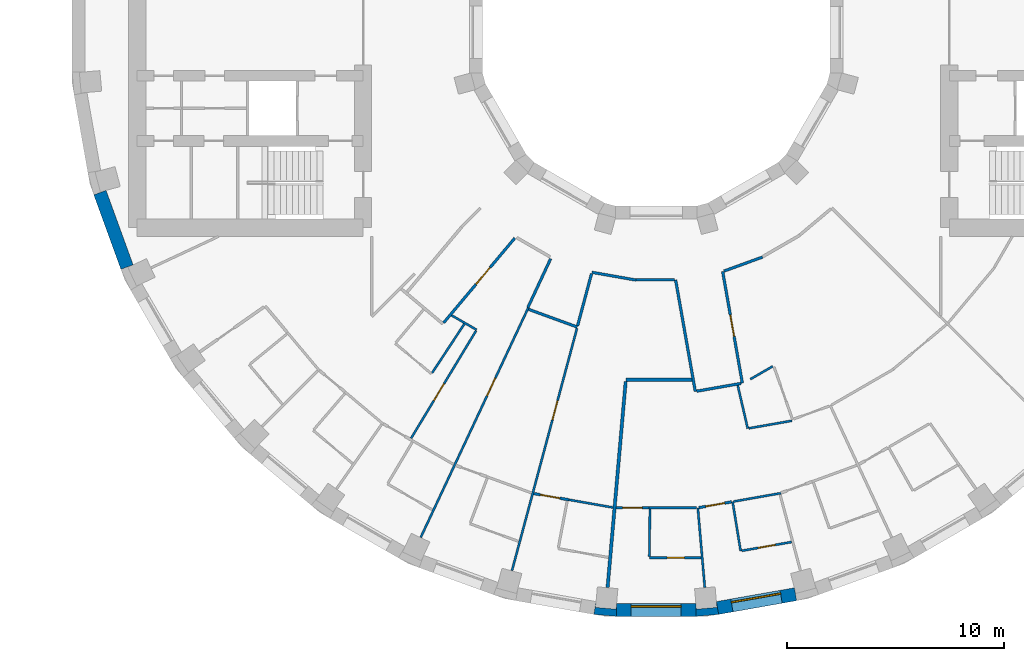
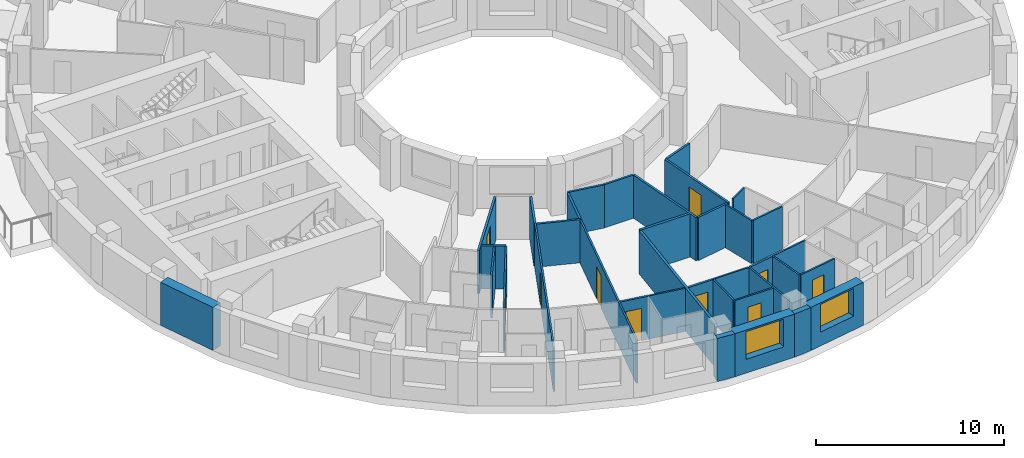
# One storey, part 5 of 14: 36 walls, 10 doors, 2 windows, 12 openings.
"""IFC4 building model written with IfcOpenShell, lengths in metres."""

from ifc_helpers import new_model, si_unit, direction, frame, frame_2d, origin, place, context, subcontext, project, spatial, polyline, rectangle, outline, extrude, material, layer, layer_set, type_object, element, fill, save


model = new_model("IFC4")

# Units and contexts
model_context = context("Model", 3, precision=1e-05, world=origin(), true_north=direction((0.0, 1.0)))
body_context = subcontext(model_context, "Body", "Model", "MODEL_VIEW")
ifc_project = project(units=[si_unit("LENGTHUNIT", "METRE"), si_unit("AREAUNIT", "SQUARE_METRE"), si_unit("VOLUMEUNIT", "CUBIC_METRE"), si_unit("PLANEANGLEUNIT", "RADIAN"), si_unit("MASSUNIT", "GRAM", prefix="KILO")], contexts=[model_context])

# Site, building, storey
site_placement = place(None, origin())
site = spatial("IfcSite", under=ifc_project, at=site_placement, CompositionType="ELEMENT")
building_placement = place(site_placement, origin())
building = spatial("IfcBuilding", under=site, at=building_placement, Name="Saqina Gate Tower", CompositionType="ELEMENT")
storey_placement = place(building_placement, frame((0.0, 0.0, 105.10009765625)))
storey = spatial("IfcBuildingStorey", under=building, at=storey_placement, Name="L29", CompositionType="ELEMENT", Elevation=105.10009765625)

# Walls
ifc_material_1 = material(Name="Brick masonry (buff)", Category="masonry")
wall_type_1 = type_object("IfcWallType", Name="BRICK PIER COPING BUFF", PredefinedType="SOLIDWALL", material=ifc_material_1)
wall_1_placement = place(storey_placement, origin())
element("IfcWall", 1, at=wall_1_placement, inside=storey, type_object=wall_type_1, Name="Pier cap L29 column 27", PredefinedType="SOLIDWALL", context=body_context, shape_type="SweptSolid", body=[
    extrude(outline(polyline([(-2.87451171875, -26.805419921875), (-1.823974609375, -26.897216796875), (-1.823974609375, -26.29736328125), (-1.847412109375, -26.565185546875), (-2.793701171875, -26.482421875), (-2.770263671875, -26.214599609375), (-2.87451171875, -26.805419921875)])), origin(), (0.0, 0.0, 1.0), 2.7998046875),
])
wall_2_placement = place(storey_placement, origin())
element("IfcWall", 2, at=wall_2_placement, inside=storey, type_object=wall_type_1, Name="Pier cap L29 column 28", PredefinedType="SOLIDWALL", context=body_context, shape_type="SweptSolid", body=[
    extrude(outline(polyline([(2.87451171875, -26.805419921875), (2.770263671875, -26.214599609375), (2.793701171875, -26.482421875), (1.847412109375, -26.565185546875), (1.823974609375, -26.29736328125), (1.823974609375, -26.897216796875), (2.87451171875, -26.805419921875)])), origin(), (0.0, 0.0, 1.0), 2.7998046875),
])

# Wall, opening, window
ifc_material_2 = material(Name="Brick masonry (buff)", Category="masonry")
ifc_layer_1 = layer(ifc_material_2, 0.60009765625)
ifc_layer_set_1 = layer_set([ifc_layer_1], Name="FW-BRICK-BUFF")
wall_type_2 = type_object("IfcWallType", Name="FW-BRICK-BUFF", PredefinedType="SOLIDWALL", material=ifc_layer_set_1)
wall_3_placement = place(storey_placement, frame((-1.823974609375, -26.59716796875, 0.0), z_axis=(0.0, 0.0, 1.0), x_axis=(1.0, 0.0, 0.0)))
wall_3 = element("IfcWall", 3, at=wall_3_placement, inside=storey, type_object=wall_type_2, Name="Facade wall L29 facet 27", PredefinedType="SOLIDWALL", context=body_context, shape_type="SweptSolid", body=[
    extrude(rectangle(XDim=3.64794921875, YDim=0.60009765625, at=frame_2d((1.823974609375, 0.0))), origin(), (0.0, 0.0, 1.0), 2.7998046875),
])
opening_1_placement = place(wall_3_placement, frame((0.673828125, 0.0, 0.89990234375)))
opening_1 = element("IfcOpeningElement", 4, at=opening_1_placement, cuts=wall_3, Name="Opening G08-W16", PredefinedType="OPENING", context=body_context, shape_type="SweptSolid", body=[
    extrude(rectangle(XDim=2.300048828125, YDim=1.800048828125, at=frame_2d((1.14990234375, 0.89990234375))), frame((0.0, 0.31201171875, 0.0), z_axis=(0.0, -1.0, 0.0), x_axis=(1.0, 0.0, 0.0)), (0.0, 0.0, 1.0), 0.6240234375),
])
ifc_material_3 = material(Name="Aluminium glazing", Category="aluminium")
window_type = type_object("IfcWindowType", Name="WN-B", PartitioningType="SINGLE_PANEL", PredefinedType="WINDOW", material=ifc_material_3)
window_1_placement = place(opening_1_placement, origin())
window_1 = element("IfcWindow", 5, at=window_1_placement, inside=storey, type_object=window_type, Name="Window L29 facet 27", OverallHeight=1.800048828125, OverallWidth=2.300048828125, PartitioningType="SINGLE_PANEL", PredefinedType="WINDOW", context=body_context, shape_type="SweptSolid", body=[
    extrude(rectangle(XDim=2.300048828125, YDim=1.800048828125, at=frame_2d((1.14990234375, 0.89990234375))), frame((0.0, 0.179931640625, 0.0), z_axis=(0.0, -1.0, 0.0), x_axis=(1.0, 0.0, 0.0)), (0.0, 0.0, 1.0), 0.06005859375),
])
fill(opening_1, window_1)

wall_4_placement = place(storey_placement, frame((2.822265625, -26.510009765625, 0.0), z_axis=(0.0, 0.0, 1.0), x_axis=(0.984803764455, 0.173670796382, 0.0)))
wall_4 = element("IfcWall", 6, at=wall_4_placement, inside=storey, type_object=wall_type_2, Name="Facade wall L29 facet 28", PredefinedType="SOLIDWALL", context=body_context, shape_type="SweptSolid", body=[
    extrude(rectangle(XDim=3.64794921875, YDim=0.60009765625, at=frame_2d((1.823974609375, 0.0))), origin(), (0.0, 0.0, 1.0), 2.7998046875),
])
opening_2_placement = place(wall_4_placement, frame((0.673828125, 0.0, 0.89990234375)))
opening_2 = element("IfcOpeningElement", 7, at=opening_2_placement, cuts=wall_4, Name="Opening G08-W17", PredefinedType="OPENING", context=body_context, shape_type="SweptSolid", body=[
    extrude(rectangle(XDim=2.300048828125, YDim=1.800048828125, at=frame_2d((1.14990234375, 0.89990234375))), frame((0.0, 0.31201171875, 0.0), z_axis=(0.0, -1.0, 0.0), x_axis=(1.0, 0.0, 0.0)), (0.0, 0.0, 1.0), 0.6240234375),
])
window_2_placement = place(opening_2_placement, origin())
window_2 = element("IfcWindow", 8, at=window_2_placement, inside=storey, type_object=window_type, Name="Window L29 facet 28", OverallHeight=1.800048828125, OverallWidth=2.300048828125, PartitioningType="SINGLE_PANEL", PredefinedType="WINDOW", context=body_context, shape_type="SweptSolid", body=[
    extrude(rectangle(XDim=2.300048828125, YDim=1.800048828125, at=frame_2d((1.14990234375, 0.89990234375))), frame((0.0, 0.179931640625, 0.0), z_axis=(0.0, -1.0, 0.0), x_axis=(1.0, 0.0, 0.0)), (0.0, 0.0, 1.0), 0.06005859375),
])
fill(opening_2, window_2)

# Walls
ifc_material_4 = material(Name="Glazed ceramic tile", Category="ceramic")
ifc_layer_2 = layer(ifc_material_4, 0.60009765625)
ifc_layer_set_2 = layer_set([ifc_layer_2], Name="FW-TILE")
wall_type_3 = type_object("IfcWallType", Name="FW-TILE", PredefinedType="SOLIDWALL", material=ifc_layer_set_2)
wall_5_placement = place(storey_placement, frame((-25.616943359375, -7.3828125, 0.0), z_axis=(0.0, 0.0, 1.0), x_axis=(0.341990236633, -0.939703505393, 0.0)))
element("IfcWall", 9, at=wall_5_placement, inside=storey, type_object=wall_type_3, Name="Facade wall L29 facet 20", PredefinedType="SOLIDWALL", context=body_context, shape_type="SweptSolid", body=[
    extrude(rectangle(XDim=3.64794921875, YDim=0.60009765625, at=frame_2d((1.823974609375, 0.0))), origin(), (0.0, 0.0, 1.0), 2.7998046875),
])
ifc_material_5 = material(Name="Gypsum board on steel studs, 100 mm", Category="steel")
ifc_layer_3 = layer(ifc_material_5, 0.10009765625)
ifc_layer_set_3 = layer_set([ifc_layer_3], Name="PARTITION 100")
wall_type_4 = type_object("IfcWallType", Name="PARTITION 100", PredefinedType="PARTITIONING", material=ifc_layer_set_3)
wall_6_placement = place(storey_placement, frame((1.916015625, -21.89697265625, 0.0), z_axis=(0.0, 0.0, 1.0), x_axis=(0.087069954148, -0.996202199899, 0.0)))
element("IfcWall", 10, at=wall_6_placement, inside=storey, type_object=wall_type_4, Name="PARTITION PW3-02", PredefinedType="PARTITIONING", context=body_context, shape_type="SweptSolid", body=[
    extrude(rectangle(XDim=3.684326171875, YDim=0.10009765625, at=frame_2d((1.84228515625, 0.0))), origin(), (0.0, 0.0, 1.0), 2.7998046875),
])
wall_7_placement = place(storey_placement, frame((3.51806640625, -21.614990234375, 0.0), z_axis=(0.0, 0.0, 1.0), x_axis=(0.160403826344, -0.987051474085, 0.0)))
element("IfcWall", 11, at=wall_7_placement, inside=storey, type_object=wall_type_4, Name="PARTITION PW3-04", PredefinedType="PARTITIONING", context=body_context, shape_type="SweptSolid", body=[
    extrude(rectangle(XDim=2.2998046875, YDim=0.10009765625, at=frame_2d((1.14990234375, 0.0))), origin(), (0.0, 0.0, 1.0), 2.7998046875),
])
wall_8_placement = place(storey_placement, frame((3.752685546875, -16.258056640625, 0.0), z_axis=(0.0, 0.0, 1.0), x_axis=(0.22577693712, -0.974179025983, 0.0)))
element("IfcWall", 12, at=wall_8_placement, inside=storey, type_object=wall_type_4, Name="PARTITION PW3-06", PredefinedType="PARTITIONING", context=body_context, shape_type="SweptSolid", body=[
    extrude(rectangle(XDim=2.04052734375, YDim=0.10009765625, at=frame_2d((1.020263671875, 0.0))), origin(), (0.0, 0.0, 1.0), 2.7998046875),
])
wall_9_placement = place(storey_placement, frame((-9.421875, -13.03515625, 0.0), z_axis=(0.0, 0.0, 1.0), x_axis=(0.866041828806, -0.499971549949, 0.0)))
element("IfcWall", 13, at=wall_9_placement, inside=storey, type_object=wall_type_4, Name="PARTITION PW3-30", PredefinedType="PARTITIONING", context=body_context, shape_type="SweptSolid", body=[
    extrude(rectangle(XDim=1.3291015625, YDim=0.10009765625, at=frame_2d((0.66455078125, 0.0))), origin(), (0.0, 0.0, 1.0), 2.7998046875),
])
wall_10_placement = place(storey_placement, frame((-4.025390625, -21.52490234375, 0.0), z_axis=(0.0, 0.0, 1.0), x_axis=(0.984791880798, -0.173738169424, 0.0)))
element("IfcWall", 14, at=wall_10_placement, inside=storey, type_object=wall_type_4, Name="PARTITION PW3-38", PredefinedType="PARTITIONING", context=body_context, shape_type="SweptSolid", body=[
    extrude(rectangle(XDim=2.067138671875, YDim=0.10009765625, at=frame_2d((1.03369140625, 0.0))), origin(), (0.0, 0.0, 1.0), 2.7998046875),
])

# Wall, opening, door
wall_11_placement = place(storey_placement, frame((-0.319091796875, -24.197021484375, 0.0), z_axis=(0.0, 0.0, 1.0), x_axis=(1.0, 0.0, 0.0)))
wall_11 = element("IfcWall", 15, at=wall_11_placement, inside=storey, type_object=wall_type_4, Name="PARTITION PW3-42", PredefinedType="PARTITIONING", context=body_context, shape_type="SweptSolid", body=[
    extrude(rectangle(XDim=2.385986328125, YDim=0.10009765625, at=frame_2d((1.19287109375, 0.0))), origin(), (0.0, 0.0, 1.0), 2.7998046875),
])
opening_3_placement = place(wall_11_placement, frame((0.818115234375, 0.0, 0.0)))
opening_3 = element("IfcOpeningElement", 16, at=opening_3_placement, cuts=wall_11, Name="Opening G08-D38", PredefinedType="OPENING", context=body_context, shape_type="SweptSolid", body=[
    extrude(rectangle(XDim=0.800048828125, YDim=2.10009765625, at=frame_2d((0.39990234375, 1.050048828125))), frame((0.0, 0.06201171875, 0.0), z_axis=(0.0, -1.0, 0.0), x_axis=(1.0, 0.0, 0.0)), (0.0, 0.0, 1.0), 0.1240234375),
])
ifc_material_6 = material(Name="Timber door leaf, 800 mm", Category="wood")
door_type_1 = type_object("IfcDoorType", Name="DOOR 800 TIMBER", OperationType="SINGLE_SWING_LEFT", PredefinedType="DOOR", material=ifc_material_6)
door_1_placement = place(opening_3_placement, frame((0.800048828125, 0.0, 0.0), z_axis=(0.0, 0.0, 1.0), x_axis=(-1.0, 0.0, 0.0)))
door_1 = element("IfcDoor", 17, at=door_1_placement, inside=storey, type_object=door_type_1, Name="DOOR G08-D38", OperationType="SINGLE_SWING_LEFT", OverallHeight=2.10009765625, OverallWidth=0.800048828125, PredefinedType="DOOR", context=body_context, shape_type="SweptSolid", body=[
    extrude(rectangle(XDim=0.800048828125, YDim=2.10009765625, at=frame_2d((0.39990234375, 1.050048828125))), frame((0.0, 0.02490234375, 0.0), z_axis=(0.0, -1.0, 0.0), x_axis=(1.0, 0.0, 0.0)), (0.0, 0.0, 1.0), 0.050048828125),
])
fill(opening_3, door_1)

# Wall
wall_12_placement = place(storey_placement, frame((-0.339111328125, -21.89697265625, 0.0), z_axis=(0.0, 0.0, 1.0), x_axis=(1.0, 0.0, 0.0)))
element("IfcWall", 18, at=wall_12_placement, inside=storey, type_object=wall_type_4, Name="PARTITION PW3-43", PredefinedType="PARTITIONING", context=body_context, shape_type="SweptSolid", body=[
    extrude(rectangle(XDim=2.205078125, YDim=0.10009765625, at=frame_2d((1.1025390625, 0.0))), origin(), (0.0, 0.0, 1.0), 2.7998046875),
])

# Wall, opening, door
wall_13_placement = place(storey_placement, frame((3.936279296875, -23.876220703125, 0.0), z_axis=(0.0, 0.0, 1.0), x_axis=(0.98482979879, 0.173523103404, 0.0)))
wall_13 = element("IfcWall", 19, at=wall_13_placement, inside=storey, type_object=wall_type_4, Name="PARTITION PW3-47", PredefinedType="PARTITIONING", context=body_context, shape_type="SweptSolid", body=[
    extrude(rectangle(XDim=2.3369140625, YDim=0.10009765625, at=frame_2d((1.16845703125, 0.0))), origin(), (0.0, 0.0, 1.0), 2.7998046875),
])
opening_4_placement = place(wall_13_placement, frame((0.7685546875, 0.0, 0.0)))
opening_4 = element("IfcOpeningElement", 20, at=opening_4_placement, cuts=wall_13, Name="Opening G08-D40", PredefinedType="OPENING", context=body_context, shape_type="SweptSolid", body=[
    extrude(rectangle(XDim=0.800048828125, YDim=2.10009765625, at=frame_2d((0.39990234375, 1.050048828125))), frame((0.0, 0.06201171875, 0.0), z_axis=(0.0, -1.0, 0.0), x_axis=(1.0, 0.0, 0.0)), (0.0, 0.0, 1.0), 0.1240234375),
])
door_2_placement = place(opening_4_placement, frame((0.800048828125, 0.0, 0.0), z_axis=(0.0, 0.0, 1.0), x_axis=(-1.0, 0.0, 0.0)))
door_2 = element("IfcDoor", 21, at=door_2_placement, inside=storey, type_object=door_type_1, Name="DOOR G08-D40", OperationType="SINGLE_SWING_LEFT", OverallHeight=2.10009765625, OverallWidth=0.800048828125, PredefinedType="DOOR", context=body_context, shape_type="SweptSolid", body=[
    extrude(rectangle(XDim=0.800048828125, YDim=2.10009765625, at=frame_2d((0.39990234375, 1.050048828125))), frame((0.0, 0.02490234375, 0.0), z_axis=(0.0, -1.0, 0.0), x_axis=(1.0, 0.0, 0.0)), (0.0, 0.0, 1.0), 0.050048828125),
])
fill(opening_4, door_2)

# Walls
wall_14_placement = place(storey_placement, frame((3.567138671875, -21.606201171875, 0.0), z_axis=(0.0, 0.0, 1.0), x_axis=(0.984800270927, 0.173690605338, 0.0)))
element("IfcWall", 22, at=wall_14_placement, inside=storey, type_object=wall_type_4, Name="PARTITION PW3-48", PredefinedType="PARTITIONING", context=body_context, shape_type="SweptSolid", body=[
    extrude(rectangle(XDim=2.205322265625, YDim=0.10009765625, at=frame_2d((1.1025390625, 0.0))), origin(), (0.0, 0.0, 1.0), 2.7998046875),
])
wall_15_placement = place(storey_placement, frame((4.26318359375, -18.237060546875, 0.0), z_axis=(0.0, 0.0, 1.0), x_axis=(0.984827477251, 0.173536278777, 0.0)))
element("IfcWall", 23, at=wall_15_placement, inside=storey, type_object=wall_type_4, Name="PARTITION PW3-49", PredefinedType="PARTITIONING", context=body_context, shape_type="SweptSolid", body=[
    extrude(rectangle(XDim=2.01318359375, YDim=0.10009765625, at=frame_2d((1.006591796875, 0.0))), origin(), (0.0, 0.0, 1.0), 2.7998046875),
])
wall_16_placement = place(storey_placement, frame((4.331298828125, -15.976806640625, 0.0), z_axis=(0.0, 0.0, 1.0), x_axis=(0.86607987314, 0.499905644439, 0.0)))
element("IfcWall", 24, at=wall_16_placement, inside=storey, type_object=wall_type_4, Name="PARTITION PW3-64", PredefinedType="PARTITIONING", context=body_context, shape_type="SweptSolid", body=[
    extrude(rectangle(XDim=1.192138671875, YDim=0.10009765625, at=frame_2d((0.59619140625, 0.0))), origin(), (0.0, 0.0, 1.0), 2.7998046875),
])
wall_17_placement = place(storey_placement, frame((-10.319091796875, -15.684326171875, 0.0), z_axis=(0.0, 0.0, 1.0), x_axis=(0.549631473795, 0.835407231842, 0.0)))
element("IfcWall", 25, at=wall_17_placement, inside=storey, type_object=wall_type_4, Name="PARTITION PW3-79", PredefinedType="PARTITIONING", context=body_context, shape_type="SweptSolid", body=[
    extrude(rectangle(XDim=2.6953125, YDim=0.10009765625, at=frame_2d((1.34765625, 0.0))), origin(), (0.0, 0.0, 1.0), 2.7998046875),
])

# Wall, opening, door
wall_18_placement = place(storey_placement, frame((-11.287109375, -18.694580078125, 0.0), z_axis=(0.0, 0.0, 1.0), x_axis=(0.516964841348, 0.856006631288, 0.0)))
wall_18 = element("IfcWall", 26, at=wall_18_placement, inside=storey, type_object=wall_type_4, Name="PARTITION PW3-80", PredefinedType="PARTITIONING", context=body_context, shape_type="SweptSolid", body=[
    extrude(rectangle(XDim=5.7822265625, YDim=0.10009765625, at=frame_2d((2.89111328125, 0.0))), origin(), (0.0, 0.0, 1.0), 2.7998046875),
])
opening_5_placement = place(wall_18_placement, frame((2.034912109375, 0.0, 0.0)))
opening_5 = element("IfcOpeningElement", 27, at=opening_5_placement, cuts=wall_18, Name="Opening G08-D29", PredefinedType="OPENING", context=body_context, shape_type="SweptSolid", body=[
    extrude(rectangle(XDim=0.89990234375, YDim=2.10009765625, at=frame_2d((0.449951171875, 1.050048828125))), frame((0.0, 0.06201171875, 0.0), z_axis=(0.0, -1.0, 0.0), x_axis=(1.0, 0.0, 0.0)), (0.0, 0.0, 1.0), 0.1240234375),
])
ifc_material_7 = material(Name="Timber door leaf, 900 mm", Category="wood")
door_type_2 = type_object("IfcDoorType", Name="DOOR 900 TIMBER", OperationType="SINGLE_SWING_LEFT", PredefinedType="DOOR", material=ifc_material_7)
door_3_placement = place(opening_5_placement, origin())
door_3 = element("IfcDoor", 28, at=door_3_placement, inside=storey, type_object=door_type_2, Name="DOOR G08-D29", OperationType="SINGLE_SWING_RIGHT", OverallHeight=2.10009765625, OverallWidth=0.89990234375, PredefinedType="DOOR", context=body_context, shape_type="SweptSolid", body=[
    extrude(rectangle(XDim=0.89990234375, YDim=2.10009765625, at=frame_2d((0.449951171875, 1.050048828125))), frame((0.0, 0.02490234375, 0.0), z_axis=(0.0, -1.0, 0.0), x_axis=(1.0, 0.0, 0.0)), (0.0, 0.0, 1.0), 0.050048828125),
])
fill(opening_5, door_3)

wall_19_placement = place(storey_placement, frame((-10.845458984375, -23.260986328125, 0.0), z_axis=(0.0, 0.0, 1.0), x_axis=(0.424206154739, 0.905565645484, 0.0)))
wall_19 = element("IfcWall", 29, at=wall_19_placement, inside=storey, type_object=wall_type_4, Name="PARTITION PW3-83", PredefinedType="PARTITIONING", context=body_context, shape_type="SweptSolid", body=[
    extrude(rectangle(XDim=11.674560546875, YDim=0.10009765625, at=frame_2d((5.83740234375, 0.0))), origin(), (0.0, 0.0, 1.0), 2.7998046875),
])
opening_6_placement = place(wall_19_placement, frame((7.19921875, 0.0, 0.0)))
opening_6 = element("IfcOpeningElement", 30, at=opening_6_placement, cuts=wall_19, Name="Opening G08-D31", PredefinedType="OPENING", context=body_context, shape_type="SweptSolid", body=[
    extrude(rectangle(XDim=0.89990234375, YDim=2.10009765625, at=frame_2d((0.449951171875, 1.050048828125))), frame((0.0, 0.06201171875, 0.0), z_axis=(0.0, -1.0, 0.0), x_axis=(1.0, 0.0, 0.0)), (0.0, 0.0, 1.0), 0.1240234375),
])
door_4_placement = place(opening_6_placement, frame((0.89990234375, 0.0, 0.0), z_axis=(0.0, 0.0, 1.0), x_axis=(-1.0, 0.0, 0.0)))
door_4 = element("IfcDoor", 31, at=door_4_placement, inside=storey, type_object=door_type_2, Name="DOOR G08-D31", OperationType="SINGLE_SWING_LEFT", OverallHeight=2.10009765625, OverallWidth=0.89990234375, PredefinedType="DOOR", context=body_context, shape_type="SweptSolid", body=[
    extrude(rectangle(XDim=0.89990234375, YDim=2.10009765625, at=frame_2d((0.449951171875, 1.050048828125))), frame((0.0, 0.02490234375, 0.0), z_axis=(0.0, -1.0, 0.0), x_axis=(1.0, 0.0, 0.0)), (0.0, 0.0, 1.0), 0.050048828125),
])
fill(opening_6, door_4)

wall_20_placement = place(storey_placement, frame((-6.642333984375, -24.79052734375, 0.0), z_axis=(0.0, 0.0, 1.0), x_axis=(0.259103074619, 0.965849676049, 0.0)))
wall_20 = element("IfcWall", 32, at=wall_20_placement, inside=storey, type_object=wall_type_4, Name="PARTITION PW3-88", PredefinedType="PARTITIONING", context=body_context, shape_type="SweptSolid", body=[
    extrude(rectangle(XDim=11.549072265625, YDim=0.10009765625, at=frame_2d((5.7744140625, 0.0))), origin(), (0.0, 0.0, 1.0), 2.7998046875),
])
opening_7_placement = place(wall_20_placement, frame((7.19873046875, 0.0, 0.0)))
opening_7 = element("IfcOpeningElement", 33, at=opening_7_placement, cuts=wall_20, Name="Opening G08-D34", PredefinedType="OPENING", context=body_context, shape_type="SweptSolid", body=[
    extrude(rectangle(XDim=0.89990234375, YDim=2.10009765625, at=frame_2d((0.449951171875, 1.050048828125))), frame((0.0, 0.06201171875, 0.0), z_axis=(0.0, -1.0, 0.0), x_axis=(1.0, 0.0, 0.0)), (0.0, 0.0, 1.0), 0.1240234375),
])
door_5_placement = place(opening_7_placement, frame((0.89990234375, 0.0, 0.0), z_axis=(0.0, 0.0, 1.0), x_axis=(-1.0, 0.0, 0.0)))
door_5 = element("IfcDoor", 34, at=door_5_placement, inside=storey, type_object=door_type_2, Name="DOOR G08-D34", OperationType="SINGLE_SWING_LEFT", OverallHeight=2.10009765625, OverallWidth=0.89990234375, PredefinedType="DOOR", context=body_context, shape_type="SweptSolid", body=[
    extrude(rectangle(XDim=0.89990234375, YDim=2.10009765625, at=frame_2d((0.449951171875, 1.050048828125))), frame((0.0, 0.02490234375, 0.0), z_axis=(0.0, -1.0, 0.0), x_axis=(1.0, 0.0, 0.0)), (0.0, 0.0, 1.0), 0.050048828125),
])
fill(opening_7, door_5)

# Walls
wall_21_placement = place(storey_placement, frame((-0.318359375, -24.14697265625, 0.0), z_axis=(0.0, 0.0, 1.0), x_axis=(0.013056922579, 0.999914754753, 0.0)))
element("IfcWall", 35, at=wall_21_placement, inside=storey, type_object=wall_type_4, Name="PARTITION PW3-93", PredefinedType="PARTITIONING", context=body_context, shape_type="SweptSolid", body=[
    extrude(rectangle(XDim=2.187744140625, YDim=0.10009765625, at=frame_2d((1.09375, 0.0))), origin(), (0.0, 0.0, 1.0), 2.7998046875),
])
ifc_material_8 = material(Name="Gypsum board on steel studs, 125 mm, fire rated", Category="steel")
ifc_layer_4 = layer(ifc_material_8, 0.125)
ifc_layer_set_4 = layer_set([ifc_layer_4], Name="PARTITION EI 30 125")
wall_type_5 = type_object("IfcWallType", Name="PARTITION EI 30 125", PredefinedType="PARTITIONING", material=ifc_layer_set_4)
wall_22_placement = place(storey_placement, frame((0.89306640625, -11.39990234375, 0.0), z_axis=(0.0, 0.0, 1.0), x_axis=(0.173617189854, -0.984813216497, 0.0)))
element("IfcWall", 36, at=wall_22_placement, inside=storey, type_object=wall_type_5, Name="PARTITION PW1-01", PredefinedType="PARTITIONING", context=body_context, shape_type="SweptSolid", body=[
    extrude(rectangle(XDim=5.218505859375, YDim=0.125, at=frame_2d((2.609375, 0.0))), origin(), (0.0, 0.0, 1.0), 2.7998046875),
])

# Wall, opening, door
wall_23_placement = place(storey_placement, frame((3.06005859375, -11.0185546875, 0.0), z_axis=(0.0, 0.0, 1.0), x_axis=(0.173641190819, -0.984808984956, 0.0)))
wall_23 = element("IfcWall", 37, at=wall_23_placement, inside=storey, type_object=wall_type_5, Name="PARTITION PW1-02", PredefinedType="PARTITIONING", context=body_context, shape_type="SweptSolid", body=[
    extrude(rectangle(XDim=5.2177734375, YDim=0.125, at=frame_2d((2.60888671875, 0.0))), origin(), (0.0, 0.0, 1.0), 2.7998046875),
])
opening_8_placement = place(wall_23_placement, frame((2.02880859375, 0.0, 0.0)))
opening_8 = element("IfcOpeningElement", 38, at=opening_8_placement, cuts=wall_23, Name="Opening G08-D41", PredefinedType="OPENING", context=body_context, shape_type="SweptSolid", body=[
    extrude(rectangle(XDim=1.0, YDim=2.10009765625, at=frame_2d((0.5, 1.050048828125))), frame((0.0, 0.074462890625, 0.0), z_axis=(0.0, -1.0, 0.0), x_axis=(1.0, 0.0, 0.0)), (0.0, 0.0, 1.0), 0.14892578125),
])
ifc_material_9 = material(Name="Fire door leaf EI 30, 1000 mm")
door_type_3 = type_object("IfcDoorType", Name="DOOR 1000 EI 30", OperationType="SINGLE_SWING_LEFT", PredefinedType="DOOR", material=ifc_material_9)
door_6_placement = place(opening_8_placement, origin())
door_6 = element("IfcDoor", 39, at=door_6_placement, inside=storey, type_object=door_type_3, Name="DOOR G08-D41", OperationType="SINGLE_SWING_LEFT", OverallHeight=2.10009765625, OverallWidth=1.0, PredefinedType="DOOR", context=body_context, shape_type="SweptSolid", body=[
    extrude(rectangle(XDim=1.0, YDim=2.10009765625, at=frame_2d((0.5, 1.050048828125))), frame((0.0, 0.02490234375, 0.0), z_axis=(0.0, -1.0, 0.0), x_axis=(1.0, 0.0, 0.0)), (0.0, 0.0, 1.0), 0.050048828125),
])
fill(opening_8, door_6)

# Wall
wall_24_placement = place(storey_placement, frame((-5.879150390625, -12.75634765625, 0.0), z_axis=(0.0, 0.0, 1.0), x_axis=(0.939637973706, -0.342170247639, 0.0)))
element("IfcWall", 40, at=wall_24_placement, inside=storey, type_object=wall_type_5, Name="PARTITION PW1-19", PredefinedType="PARTITIONING", context=body_context, shape_type="SweptSolid", body=[
    extrude(rectangle(XDim=2.385986328125, YDim=0.125, at=frame_2d((1.19287109375, 0.0))), origin(), (0.0, 0.0, 1.0), 2.7998046875),
])

# Wall, opening, door
wall_25_placement = place(storey_placement, frame((-5.639892578125, -21.24072265625, 0.0), z_axis=(0.0, 0.0, 1.0), x_axis=(0.984569921273, -0.174991628724, 0.0)))
wall_25 = element("IfcWall", 41, at=wall_25_placement, inside=storey, type_object=wall_type_5, Name="PARTITION PW1-22", PredefinedType="PARTITIONING", context=body_context, shape_type="SweptSolid", body=[
    extrude(rectangle(XDim=1.639404296875, YDim=0.125, at=frame_2d((0.81982421875, 0.0))), origin(), (0.0, 0.0, 1.0), 2.7998046875),
])
opening_9_placement = place(wall_25_placement, frame((0.313232421875, 0.0, 0.0)))
opening_9 = element("IfcOpeningElement", 42, at=opening_9_placement, cuts=wall_25, Name="Opening G08-D35", PredefinedType="OPENING", context=body_context, shape_type="SweptSolid", body=[
    extrude(rectangle(XDim=0.89990234375, YDim=2.10009765625, at=frame_2d((0.449951171875, 1.050048828125))), frame((0.0, 0.074462890625, 0.0), z_axis=(0.0, -1.0, 0.0), x_axis=(1.0, 0.0, 0.0)), (0.0, 0.0, 1.0), 0.14892578125),
])
ifc_material_10 = material(Name="Fire door leaf EI 30, 900 mm")
door_type_4 = type_object("IfcDoorType", Name="DOOR 900 EI 30", OperationType="SINGLE_SWING_LEFT", PredefinedType="DOOR", material=ifc_material_10)
door_7_placement = place(opening_9_placement, origin())
door_7 = element("IfcDoor", 43, at=door_7_placement, inside=storey, type_object=door_type_4, Name="DOOR G08-D35", OperationType="SINGLE_SWING_LEFT", OverallHeight=2.10009765625, OverallWidth=0.89990234375, PredefinedType="DOOR", context=body_context, shape_type="SweptSolid", body=[
    extrude(rectangle(XDim=0.89990234375, YDim=2.10009765625, at=frame_2d((0.449951171875, 1.050048828125))), frame((0.0, 0.02490234375, 0.0), z_axis=(0.0, -1.0, 0.0), x_axis=(1.0, 0.0, 0.0)), (0.0, 0.0, 1.0), 0.050048828125),
])
fill(opening_9, door_7)

# Wall
wall_26_placement = place(storey_placement, frame((-2.9609375, -11.052001953125, 0.0), z_axis=(0.0, 0.0, 1.0), x_axis=(0.984777586027, -0.173819176329, 0.0)))
element("IfcWall", 44, at=wall_26_placement, inside=storey, type_object=wall_type_5, Name="PARTITION PW1-24", PredefinedType="PARTITIONING", context=body_context, shape_type="SweptSolid", body=[
    extrude(rectangle(XDim=2.0576171875, YDim=0.125, at=frame_2d((1.02880859375, 0.0))), origin(), (0.0, 0.0, 1.0), 2.7998046875),
])

# Wall, opening, door
wall_27_placement = place(storey_placement, frame((-1.841064453125, -21.89697265625, 0.0), z_axis=(0.0, 0.0, 1.0), x_axis=(1.0, 0.0, 0.0)))
wall_27 = element("IfcWall", 45, at=wall_27_placement, inside=storey, type_object=wall_type_5, Name="PARTITION PW1-26", PredefinedType="PARTITIONING", context=body_context, shape_type="SweptSolid", body=[
    extrude(rectangle(XDim=1.501953125, YDim=0.125, at=frame_2d((0.7509765625, 0.0))), origin(), (0.0, 0.0, 1.0), 2.7998046875),
])
opening_10_placement = place(wall_27_placement, frame((0.28857421875, 0.0, 0.0)))
opening_10 = element("IfcOpeningElement", 46, at=opening_10_placement, cuts=wall_27, Name="Opening G08-D37", PredefinedType="OPENING", context=body_context, shape_type="SweptSolid", body=[
    extrude(rectangle(XDim=0.89990234375, YDim=2.10009765625, at=frame_2d((0.449951171875, 1.050048828125))), frame((0.0, 0.074462890625, 0.0), z_axis=(0.0, -1.0, 0.0), x_axis=(1.0, 0.0, 0.0)), (0.0, 0.0, 1.0), 0.14892578125),
])
door_8_placement = place(opening_10_placement, origin())
door_8 = element("IfcDoor", 47, at=door_8_placement, inside=storey, type_object=door_type_4, Name="DOOR G08-D37", OperationType="SINGLE_SWING_LEFT", OverallHeight=2.10009765625, OverallWidth=0.89990234375, PredefinedType="DOOR", context=body_context, shape_type="SweptSolid", body=[
    extrude(rectangle(XDim=0.89990234375, YDim=2.10009765625, at=frame_2d((0.449951171875, 1.050048828125))), frame((0.0, 0.02490234375, 0.0), z_axis=(0.0, -1.0, 0.0), x_axis=(1.0, 0.0, 0.0)), (0.0, 0.0, 1.0), 0.050048828125),
])
fill(opening_10, door_8)

# Wall
wall_28_placement = place(storey_placement, frame((-0.9345703125, -11.39990234375, 0.0), z_axis=(0.0, 0.0, 1.0), x_axis=(1.0, 0.0, 0.0)))
element("IfcWall", 48, at=wall_28_placement, inside=storey, type_object=wall_type_5, Name="PARTITION PW1-27", PredefinedType="PARTITIONING", context=body_context, shape_type="SweptSolid", body=[
    extrude(rectangle(XDim=1.76513671875, YDim=0.125, at=frame_2d((0.882568359375, 0.0))), origin(), (0.0, 0.0, 1.0), 2.7998046875),
])

# Wall, opening, door
wall_29_placement = place(storey_placement, frame((1.96533203125, -21.888427734375, 0.0), z_axis=(0.0, 0.0, 1.0), x_axis=(0.984857531579, 0.173365632386, 0.0)))
wall_29 = element("IfcWall", 49, at=wall_29_placement, inside=storey, type_object=wall_type_5, Name="PARTITION PW1-31", PredefinedType="PARTITIONING", context=body_context, shape_type="SweptSolid", body=[
    extrude(rectangle(XDim=1.526611328125, YDim=0.125, at=frame_2d((0.76318359375, 0.0))), origin(), (0.0, 0.0, 1.0), 2.7998046875),
])
opening_11_placement = place(wall_29_placement, frame((0.313720703125, 0.0, 0.0)))
opening_11 = element("IfcOpeningElement", 50, at=opening_11_placement, cuts=wall_29, Name="Opening G08-D39", PredefinedType="OPENING", context=body_context, shape_type="SweptSolid", body=[
    extrude(rectangle(XDim=0.89990234375, YDim=2.10009765625, at=frame_2d((0.449951171875, 1.050048828125))), frame((0.0, 0.074462890625, 0.0), z_axis=(0.0, -1.0, 0.0), x_axis=(1.0, 0.0, 0.0)), (0.0, 0.0, 1.0), 0.14892578125),
])
door_9_placement = place(opening_11_placement, origin())
door_9 = element("IfcDoor", 51, at=door_9_placement, inside=storey, type_object=door_type_4, Name="DOOR G08-D39", OperationType="SINGLE_SWING_LEFT", OverallHeight=2.10009765625, OverallWidth=0.89990234375, PredefinedType="DOOR", context=body_context, shape_type="SweptSolid", body=[
    extrude(rectangle(XDim=0.89990234375, YDim=2.10009765625, at=frame_2d((0.449951171875, 1.050048828125))), frame((0.0, 0.02490234375, 0.0), z_axis=(0.0, -1.0, 0.0), x_axis=(1.0, 0.0, 0.0)), (0.0, 0.0, 1.0), 0.050048828125),
])
fill(opening_11, door_9)

# Walls
wall_30_placement = place(storey_placement, frame((1.8623046875, -16.52783203125, 0.0), z_axis=(0.0, 0.0, 1.0), x_axis=(0.984827380623, 0.173536827142, 0.0)))
element("IfcWall", 52, at=wall_30_placement, inside=storey, type_object=wall_type_5, Name="PARTITION PW1-32", PredefinedType="PARTITIONING", context=body_context, shape_type="SweptSolid", body=[
    extrude(rectangle(XDim=2.07373046875, YDim=0.125, at=frame_2d((1.036865234375, 0.0))), origin(), (0.0, 0.0, 1.0), 2.7998046875),
])
wall_31_placement = place(storey_placement, frame((3.118896484375, -10.9970703125, 0.0), z_axis=(0.0, 0.0, 1.0), x_axis=(0.939510386217, 0.342520414269, 0.0)))
element("IfcWall", 53, at=wall_31_placement, inside=storey, type_object=wall_type_5, Name="PARTITION PW1-35", PredefinedType="PARTITIONING", context=body_context, shape_type="SweptSolid", body=[
    extrude(rectangle(XDim=1.89111328125, YDim=0.125, at=frame_2d((0.945556640625, 0.0))), origin(), (0.0, 0.0, 1.0), 2.7998046875),
])

# Wall, opening, door
wall_32_placement = place(storey_placement, frame((-9.787841796875, -13.375244140625, 0.0), z_axis=(0.0, 0.0, 1.0), x_axis=(0.643234807085, 0.765668977401, 0.0)))
wall_32 = element("IfcWall", 54, at=wall_32_placement, inside=storey, type_object=wall_type_5, Name="PARTITION PW1-48", PredefinedType="PARTITIONING", context=body_context, shape_type="SweptSolid", body=[
    extrude(rectangle(XDim=5.0927734375, YDim=0.125, at=frame_2d((2.54638671875, 0.0))), origin(), (0.0, 0.0, 1.0), 2.7998046875),
])
opening_12_placement = place(wall_32_placement, frame((2.319580078125, 0.0, 0.0)))
opening_12 = element("IfcOpeningElement", 55, at=opening_12_placement, cuts=wall_32, Name="Opening G08-D27", PredefinedType="OPENING", context=body_context, shape_type="SweptSolid", body=[
    extrude(rectangle(XDim=1.0, YDim=2.10009765625, at=frame_2d((0.5, 1.050048828125))), frame((0.0, 0.074462890625, 0.0), z_axis=(0.0, -1.0, 0.0), x_axis=(1.0, 0.0, 0.0)), (0.0, 0.0, 1.0), 0.14892578125),
])
door_10_placement = place(opening_12_placement, frame((1.0, 0.0, 0.0), z_axis=(0.0, 0.0, 1.0), x_axis=(-1.0, 0.0, 0.0)))
door_10 = element("IfcDoor", 56, at=door_10_placement, inside=storey, type_object=door_type_3, Name="DOOR G08-D27", OperationType="SINGLE_SWING_LEFT", OverallHeight=2.10009765625, OverallWidth=1.0, PredefinedType="DOOR", context=body_context, shape_type="SweptSolid", body=[
    extrude(rectangle(XDim=1.0, YDim=2.10009765625, at=frame_2d((0.5, 1.050048828125))), frame((0.0, 0.02490234375, 0.0), z_axis=(0.0, -1.0, 0.0), x_axis=(1.0, 0.0, 0.0)), (0.0, 0.0, 1.0), 0.050048828125),
])
fill(opening_12, door_10)

# Walls
wall_33_placement = place(storey_placement, frame((-5.91259765625, -12.679931640625, 0.0), z_axis=(0.0, 0.0, 1.0), x_axis=(0.422627539676, 0.906303460606, 0.0)))
element("IfcWall", 57, at=wall_33_placement, inside=storey, type_object=wall_type_5, Name="PARTITION PW1-52", PredefinedType="PARTITIONING", context=body_context, shape_type="SweptSolid", body=[
    extrude(rectangle(XDim=2.487548828125, YDim=0.125, at=frame_2d((1.24365234375, 0.0))), origin(), (0.0, 0.0, 1.0), 2.7998046875),
])
wall_34_placement = place(storey_placement, frame((-3.620361328125, -13.51220703125, 0.0), z_axis=(0.0, 0.0, 1.0), x_axis=(0.258641119931, 0.965973483632, 0.0)))
element("IfcWall", 58, at=wall_34_placement, inside=storey, type_object=wall_type_5, Name="PARTITION PW1-54", PredefinedType="PARTITIONING", context=body_context, shape_type="SweptSolid", body=[
    extrude(rectangle(XDim=2.484375, YDim=0.125, at=frame_2d((1.2421875, 0.0))), origin(), (0.0, 0.0, 1.0), 2.7998046875),
])
ifc_material_11 = material(Name="Gypsum board on steel studs, 150 mm, fire rated", Category="steel")
ifc_layer_5 = layer(ifc_material_11, 0.14990234375)
ifc_layer_set_5 = layer_set([ifc_layer_5], Name="PARTITION EI 60 150")
wall_type_6 = type_object("IfcWallType", Name="PARTITION EI 60 150", PredefinedType="PARTITIONING", material=ifc_layer_set_5)
wall_35_placement = place(storey_placement, frame((-1.39990234375, -16.0, 0.0), z_axis=(0.0, 0.0, 1.0), x_axis=(1.0, 0.0, 0.0)))
element("IfcWall", 59, at=wall_35_placement, inside=storey, type_object=wall_type_6, Name="PARTITION PW2-02", PredefinedType="PARTITIONING", context=body_context, shape_type="SweptSolid", body=[
    extrude(rectangle(XDim=3.04150390625, YDim=0.14990234375, at=frame_2d((1.520751953125, 0.0))), origin(), (0.0, 0.0, 1.0), 2.7998046875),
])
wall_36_placement = place(storey_placement, frame((-2.240234375, -25.567138671875, 0.0), z_axis=(0.0, 0.0, 1.0), x_axis=(0.087555048891, 0.996159682688, 0.0)))
element("IfcWall", 60, at=wall_36_placement, inside=storey, type_object=wall_type_6, Name="PARTITION PW2-03", PredefinedType="PARTITIONING", context=body_context, shape_type="SweptSolid", body=[
    extrude(rectangle(XDim=9.528076171875, YDim=0.14990234375, at=frame_2d((4.76416015625, 0.0))), origin(), (0.0, 0.0, 1.0), 2.7998046875),
])

save(model, "model.ifc")
